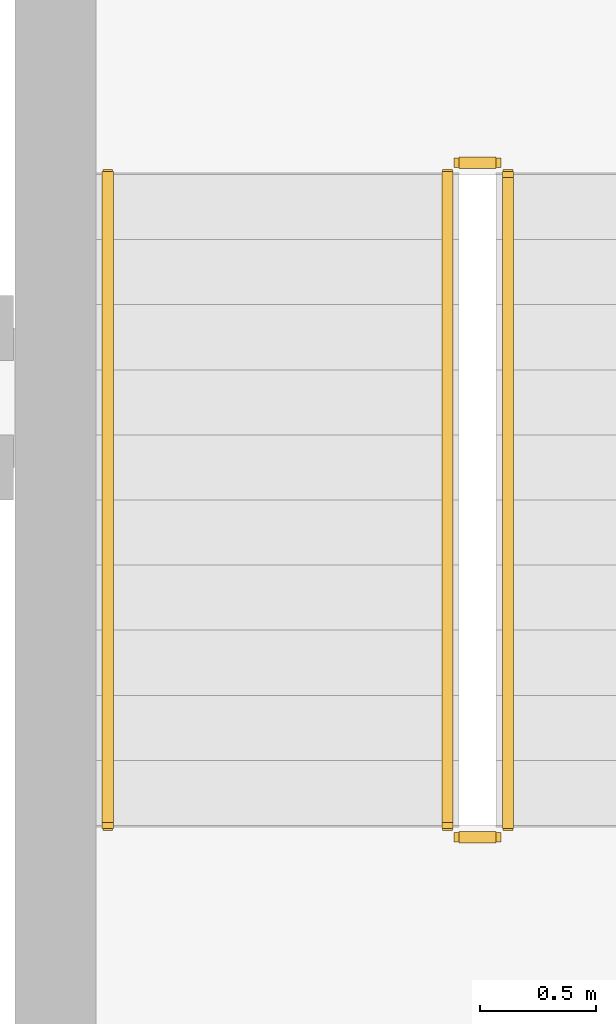
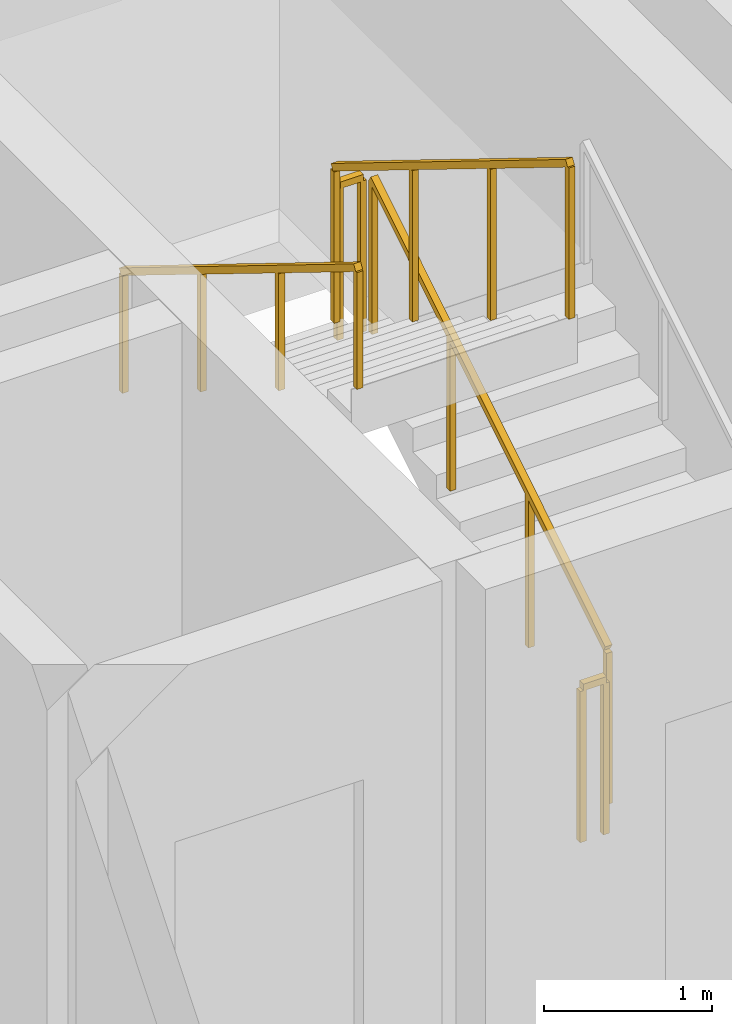
# One storey, part 13 of 14: 5 railings.
"""IFC4 building model written with IfcOpenShell, lengths in metres."""

import ifcopenshell
import ifcopenshell.guid

model = None  # the IFC model being written
_history = None  # IfcOwnerHistory: only IFC2X3 demands one
_inside = {}  # id of a spatial element -> (the spatial element, [elements in it])
_under = {}  # id of a project, library or spatial element -> (it, [spatial elements below it])
_declared = {}  # id of a project -> (the project, [libraries it declares])
_typed = {}  # id of a type object -> (the type object, [elements of that type])
_made_of = {}  # id of a material, layer set ... -> (it, [elements and type objects made of it])


def new_model(schema):
    """Start an empty IFC model of exactly this schema.

    Asked for "IFC4X3", IfcOpenShell would pick the latest addendum, in which some entities
    have other attributes; the version numbers below select the first issue.
    IFC2X3 requires an IfcOwnerHistory on every rooted entity: one is made here for all.
    """
    global model, _history
    if schema == "IFC4X3":
        model = ifcopenshell.file(schema_version=(4, 3, 0, 0))
    else:
        model = ifcopenshell.file(schema=schema)
    _inside.clear()
    _under.clear()
    _declared.clear()
    _typed.clear()
    _made_of.clear()
    _history = None
    if model.schema == "IFC2X3":
        org = make("IfcOrganization", Name="unknown")
        user = make(
            "IfcPersonAndOrganization",
            ThePerson=make("IfcPerson", FamilyName="unknown"),
            TheOrganization=org,
        )
        app = make(
            "IfcApplication",
            ApplicationDeveloper=org,
            Version="unknown",
            ApplicationFullName="unknown",
            ApplicationIdentifier="unknown",
        )
        _history = make(
            "IfcOwnerHistory",
            OwningUser=user,
            OwningApplication=app,
            ChangeAction="ADDED",
            CreationDate=0,
        )
    return model


def make(cls, **values):
    """One entity of the class cls with the attributes given. An attribute that is None is left unset."""
    return model.create_entity(
        cls, **{name: value for name, value in values.items() if value is not None}
    )


def rooted(cls, **values):
    """An entity with a GlobalId (a new one), such as an element, a storey or a relation."""
    return make(cls, GlobalId=ifcopenshell.guid.new(), OwnerHistory=_history, **values)


def si_unit(unit_type, name, prefix=None):
    """IfcSIUnit, for example si_unit("LENGTHUNIT", "METRE", prefix="MILLI")."""
    return make("IfcSIUnit", UnitType=unit_type, Prefix=prefix, Name=name)


def assignment(units):
    """IfcUnitAssignment: the units of a project."""
    return None if units is None else make("IfcUnitAssignment", Units=units)


def point(xyz):
    """IfcCartesianPoint."""
    return None if xyz is None else make("IfcCartesianPoint", Coordinates=xyz)


def direction(xyz):
    """IfcDirection."""
    return None if xyz is None else make("IfcDirection", DirectionRatios=xyz)


def frame(location, z_axis=None, x_axis=None):
    """IfcAxis2Placement3D, a coordinate frame: its origin and axes. An axis left out is left unset."""
    return make(
        "IfcAxis2Placement3D",
        Location=point(location),
        Axis=direction(z_axis),
        RefDirection=direction(x_axis),
    )


def frame_2d(location, x_axis=None):
    """IfcAxis2Placement2D, a coordinate frame in the plane: its origin and x axis."""
    return make(
        "IfcAxis2Placement2D", Location=point(location), RefDirection=direction(x_axis)
    )


def origin():
    """The frame at (0, 0, 0) with its axes left unset."""
    return frame((0.0, 0.0, 0.0))


def origin_2d():
    """The frame at (0, 0) in the plane with its x axis left unset."""
    return frame_2d((0.0, 0.0))


def place(relative_to, where):
    """IfcLocalPlacement: puts the frame where relative to a parent placement (None: the world)."""
    return make(
        "IfcLocalPlacement", PlacementRelTo=relative_to, RelativePlacement=where
    )


def context(
    kind, dimensions, precision=None, world=None, true_north=None, identifier=None
):
    """IfcGeometricRepresentationContext, for example the 3D "Model" context."""
    return make(
        "IfcGeometricRepresentationContext",
        ContextIdentifier=identifier,
        ContextType=kind,
        CoordinateSpaceDimension=dimensions,
        Precision=precision,
        WorldCoordinateSystem=world,
        TrueNorth=true_north,
    )


def subcontext(parent, identifier, kind, view, scale=None):
    """IfcGeometricRepresentationSubContext, for example "Body" below "Model"."""
    return make(
        "IfcGeometricRepresentationSubContext",
        ContextIdentifier=identifier,
        ContextType=kind,
        ParentContext=parent,
        TargetScale=scale,
        TargetView=view,
    )


def project(units=None, contexts=None):
    """IfcProject with its units and contexts."""
    return rooted(
        "IfcProject",
        Name="project",
        RepresentationContexts=contexts,
        UnitsInContext=assignment(units),
    )


def spatial(cls, under=None, at=None, **own):
    """A site, building, storey or space (cls), placed at a placement, below another one or the project."""
    s = rooted(cls, ObjectPlacement=at, **own)
    if under is not None:
        _under.setdefault(under.id(), (under, []))[1].append(s)
    return s


def profile(cls, at=None, kind="AREA", **sizes):
    """A parametric profile (cls). Its sizes go by their IFC names, for example OverallWidth=200.0."""
    return make(cls, ProfileType=kind, Position=at, **sizes)


def rectangle(**sizes):
    """IfcRectangleProfileDef."""
    return profile("IfcRectangleProfileDef", **sizes)


def extrude(swept, where, along, depth):
    """IfcExtrudedAreaSolid: the profile swept, set in the frame where, extruded along a direction by depth."""
    return make(
        "IfcExtrudedAreaSolid",
        SweptArea=swept,
        Position=where,
        ExtrudedDirection=direction(along),
        Depth=depth,
    )


def shape(context_of_items, identifier, shape_type, items):
    """IfcShapeRepresentation: the items that make up one representation, for example the "Body"."""
    return make(
        "IfcShapeRepresentation",
        ContextOfItems=context_of_items,
        RepresentationIdentifier=identifier,
        RepresentationType=shape_type,
        Items=items,
    )


def material(Name=None, Category=None):
    """IfcMaterial."""
    return make("IfcMaterial", Name=Name, Category=Category)


def made_of(thing, what):
    """Note that an element or type object is made of a material, layer set ...; save() writes the relation."""
    if what is not None:
        _made_of.setdefault(what.id(), (what, []))[1].append(thing)
    return thing


def type_object(cls, material=None, **own):
    """A type object (cls), such as IfcWallType, which elements share."""
    return made_of(rooted(cls, **own), material)


def element(
    cls,
    number,
    at=None,
    inside=None,
    cuts=None,
    type_object=None,
    material=None,
    context=None,
    identifier="Body",
    shape_type=None,
    held_by="IfcProductDefinitionShape",
    body=None,
    shapes=None,
    **own,
):
    """One element of the class cls, such as IfcWall. Its Tag is "e" and its number.

    at: its placement. inside: the storey or other place that contains it. cuts: it is an
    opening in that element (IfcRelVoidsElement). A single representation is given by context,
    identifier, shape_type and body (its items); several are given by shapes. held_by: the class
    of the entity that holds the representations. save() writes the other relations.
    """
    e = rooted(cls, Tag="e%d" % number, ObjectPlacement=at, **own)
    if body is not None:
        shapes = [shape(context, identifier, shape_type, body)]
    if shapes is not None:
        e.Representation = make(held_by, Representations=shapes)
    if inside is not None:
        _inside.setdefault(inside.id(), (inside, []))[1].append(e)
    if cuts is not None:
        rooted(
            "IfcRelVoidsElement", RelatingBuildingElement=cuts, RelatedOpeningElement=e
        )
    if type_object is not None:
        _typed.setdefault(type_object.id(), (type_object, []))[1].append(e)
    return made_of(e, material)


def aggregate(whole, parts):
    """IfcRelAggregates: a whole, such as a stair, and the parts it consists of."""
    return rooted("IfcRelAggregates", RelatingObject=whole, RelatedObjects=parts)


def save(model, path):
    """Write the relations noted so far, then the file.

    IfcRelAggregates (storeys below a building ...), IfcRelContainedInSpatialStructure (elements
    in a storey), IfcRelDefinesByType, IfcRelAssociatesMaterial and IfcRelDeclares: one each for
    every whole, place, type object, material and project.
    """
    for whole, parts in _under.values():
        aggregate(whole, parts)
    for where, things in _inside.values():
        rooted(
            "IfcRelContainedInSpatialStructure",
            RelatedElements=things,
            RelatingStructure=where,
        )
    for kind, things in _typed.values():
        rooted("IfcRelDefinesByType", RelatedObjects=things, RelatingType=kind)
    for what, things in _made_of.values():
        rooted("IfcRelAssociatesMaterial", RelatedObjects=things, RelatingMaterial=what)
    for by, libraries in _declared.values():
        rooted("IfcRelDeclares", RelatingContext=by, RelatedDefinitions=libraries)
    model.write(path)


model = new_model("IFC4")

# Units and contexts
model_context = context("Model", 3, precision=1e-05, world=origin(), true_north=direction((0.0, 1.0)))
body_context = subcontext(model_context, "Body", "Model", "MODEL_VIEW")
ifc_project = project(units=[si_unit("LENGTHUNIT", "METRE"), si_unit("AREAUNIT", "SQUARE_METRE"), si_unit("VOLUMEUNIT", "CUBIC_METRE"), si_unit("PLANEANGLEUNIT", "RADIAN"), si_unit("MASSUNIT", "GRAM", prefix="KILO")], contexts=[model_context])

# Site, building, storey
site_placement = place(None, origin())
site = spatial("IfcSite", under=ifc_project, at=site_placement, CompositionType="ELEMENT")
building_placement = place(site_placement, origin())
building = spatial("IfcBuilding", under=site, at=building_placement, Name="Kaelvorn Grand Hotel", CompositionType="ELEMENT")
storey_placement = place(building_placement, frame((0.0, 0.0, 197.75)))
storey = spatial("IfcBuildingStorey", under=building, at=storey_placement, Name="L48", CompositionType="ELEMENT", Elevation=197.75)

# Railings
ifc_material = material(Name="Stainless Steel", Category="steel")
railing_type_1 = type_object("IfcRailingType", Name="RL-HANDRAIL-900", PredefinedType="HANDRAIL", material=ifc_material)
railing_1_placement = place(storey_placement, frame((63.3701171875, 44.56005859375, 2.07275390625)))
element("IfcRailing", 1, at=railing_1_placement, inside=storey, type_object=railing_type_1, Name="L48 ST3 stair handrail 2", PredefinedType="HANDRAIL", context=body_context, shape_type="SweptSolid", body=[
    extrude(rectangle(XDim=0.048095703125, YDim=0.048095703125, at=origin_2d()), frame((0.0, 0.0, 0.8759765625), z_axis=(0.0, -0.851089632645, 0.525020415988), x_axis=(1.0, 0.0, 0.0)), (0.0, 0.0, 1.0), 3.2900390625),
    extrude(rectangle(XDim=0.0419921875, YDim=0.0419921875, at=origin_2d()), origin(), (0.0, 0.0, 1.0), 0.851806640625),
    extrude(rectangle(XDim=0.0419921875, YDim=0.0419921875, at=origin_2d()), frame((0.0, -0.933349609375, 0.57568359375)), (0.0, 0.0, 1.0), 0.851806640625),
    extrude(rectangle(XDim=0.0419921875, YDim=0.0419921875, at=origin_2d()), frame((0.0, -1.86669921875, 1.151611328125)), (0.0, 0.0, 1.0), 0.851806640625),
    extrude(rectangle(XDim=0.0419921875, YDim=0.0419921875, at=origin_2d()), frame((0.0, -2.800048828125, 1.727294921875)), (0.0, 0.0, 1.0), 0.851806640625),
])
railing_type_2 = type_object("IfcRailingType", Name="RL-STAIR-GUARD-1150", PredefinedType="BALUSTRADE", material=ifc_material)
railing_2_placement = place(storey_placement, frame((65.090087890625, 41.760009765625, 0.172607421875)))
element("IfcRailing", 2, at=railing_2_placement, inside=storey, type_object=railing_type_2, Name="L48 ST3 stair guard 1", PredefinedType="BALUSTRADE", context=body_context, shape_type="SweptSolid", body=[
    extrude(rectangle(XDim=0.048095703125, YDim=0.048095703125, at=origin_2d()), frame((0.0, 0.0, 1.1259765625), z_axis=(0.0, 0.851089632645, 0.525020415988), x_axis=(-1.0, 0.0, 0.0)), (0.0, 0.0, 1.0), 3.2900390625),
    extrude(rectangle(XDim=0.0419921875, YDim=0.0419921875, at=origin_2d()), origin(), (0.0, 0.0, 1.0), 1.101806640625),
    extrude(rectangle(XDim=0.0419921875, YDim=0.0419921875, at=origin_2d()), frame((0.0, 0.933349609375, 0.57568359375)), (0.0, 0.0, 1.0), 1.101806640625),
    extrude(rectangle(XDim=0.0419921875, YDim=0.0419921875, at=origin_2d()), frame((0.0, 1.86669921875, 1.151611328125)), (0.0, 0.0, 1.0), 1.101806640625),
    extrude(rectangle(XDim=0.0419921875, YDim=0.0419921875, at=origin_2d()), frame((0.0, 2.800048828125, 1.727294921875)), (0.0, 0.0, 1.0), 1.101806640625),
])
railing_3_placement = place(storey_placement, frame((65.0400390625, 44.610107421875, 1.89990234375)))
element("IfcRailing", 3, at=railing_3_placement, inside=storey, type_object=railing_type_2, Name="L48 ST3 stair guard 2", PredefinedType="BALUSTRADE", context=body_context, shape_type="SweptSolid", body=[
    extrude(rectangle(XDim=0.048095703125, YDim=0.048095703125, at=origin_2d()), frame((0.0, 0.0, 1.1259765625), z_axis=(-1.0, 0.0, 0.0), x_axis=(0.0, -1.0, 0.0)), (0.0, 0.0, 1.0), 0.16015625),
    extrude(rectangle(XDim=0.0419921875, YDim=0.0419921875, at=origin_2d()), origin(), (0.0, 0.0, 1.0), 1.101806640625),
    extrude(rectangle(XDim=0.0419921875, YDim=0.0419921875, at=origin_2d()), frame((-0.16015625, 0.0, 0.0)), (0.0, 0.0, 1.0), 1.101806640625),
])
railing_4_placement = place(storey_placement, frame((64.830078125, 44.56005859375, 2.07275390625)))
element("IfcRailing", 4, at=railing_4_placement, inside=storey, type_object=railing_type_2, Name="L48 ST3 stair guard 3", PredefinedType="BALUSTRADE", context=body_context, shape_type="SweptSolid", body=[
    extrude(rectangle(XDim=0.048095703125, YDim=0.048095703125, at=origin_2d()), frame((0.0, 0.0, 1.1259765625), z_axis=(0.0, -0.851089632645, 0.525020415988), x_axis=(1.0, 0.0, 0.0)), (0.0, 0.0, 1.0), 3.2900390625),
    extrude(rectangle(XDim=0.0419921875, YDim=0.0419921875, at=origin_2d()), origin(), (0.0, 0.0, 1.0), 1.101806640625),
    extrude(rectangle(XDim=0.0419921875, YDim=0.0419921875, at=origin_2d()), frame((0.0, -0.933349609375, 0.57568359375)), (0.0, 0.0, 1.0), 1.101806640625),
    extrude(rectangle(XDim=0.0419921875, YDim=0.0419921875, at=origin_2d()), frame((0.0, -1.86669921875, 1.151611328125)), (0.0, 0.0, 1.0), 1.101806640625),
    extrude(rectangle(XDim=0.0419921875, YDim=0.0419921875, at=origin_2d()), frame((0.0, -2.800048828125, 1.727294921875)), (0.0, 0.0, 1.0), 1.101806640625),
])
railing_5_placement = place(storey_placement, frame((65.0400390625, 41.7099609375, 0.0)))
element("IfcRailing", 5, at=railing_5_placement, inside=storey, type_object=railing_type_2, Name="L48 ST3 stair guard 4", PredefinedType="BALUSTRADE", context=body_context, shape_type="SweptSolid", body=[
    extrude(rectangle(XDim=0.048095703125, YDim=0.048095703125, at=origin_2d()), frame((0.0, 0.0, 1.1259765625), z_axis=(-1.0, 0.0, 0.0), x_axis=(0.0, -1.0, 0.0)), (0.0, 0.0, 1.0), 0.16015625),
    extrude(rectangle(XDim=0.0419921875, YDim=0.0419921875, at=origin_2d()), origin(), (0.0, 0.0, 1.0), 1.101806640625),
    extrude(rectangle(XDim=0.0419921875, YDim=0.0419921875, at=origin_2d()), frame((-0.16015625, 0.0, 0.0)), (0.0, 0.0, 1.0), 1.101806640625),
])

save(model, "model.ifc")
